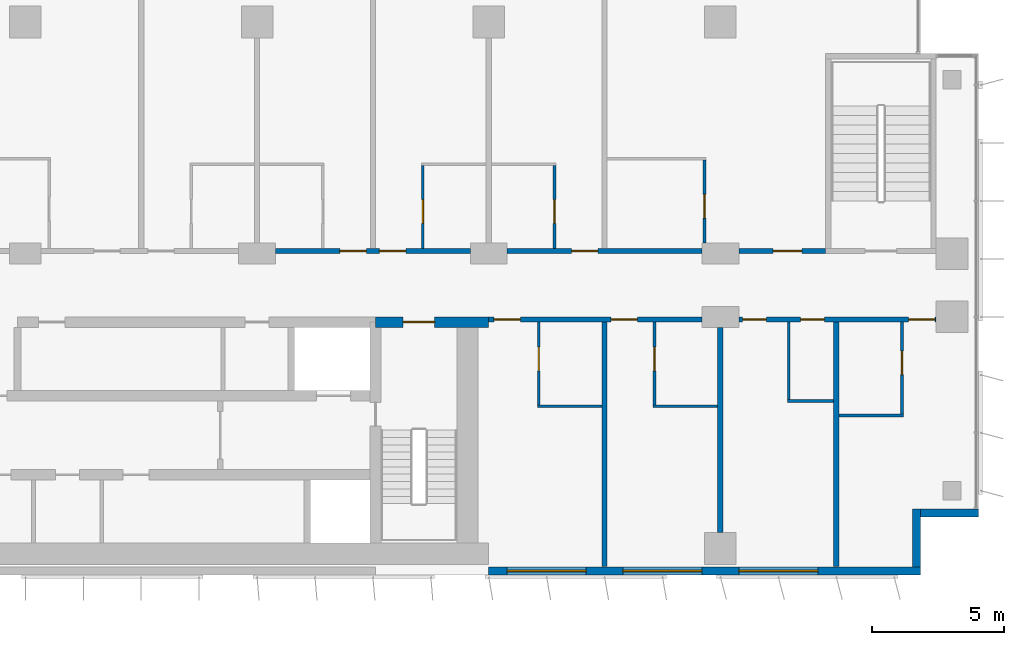
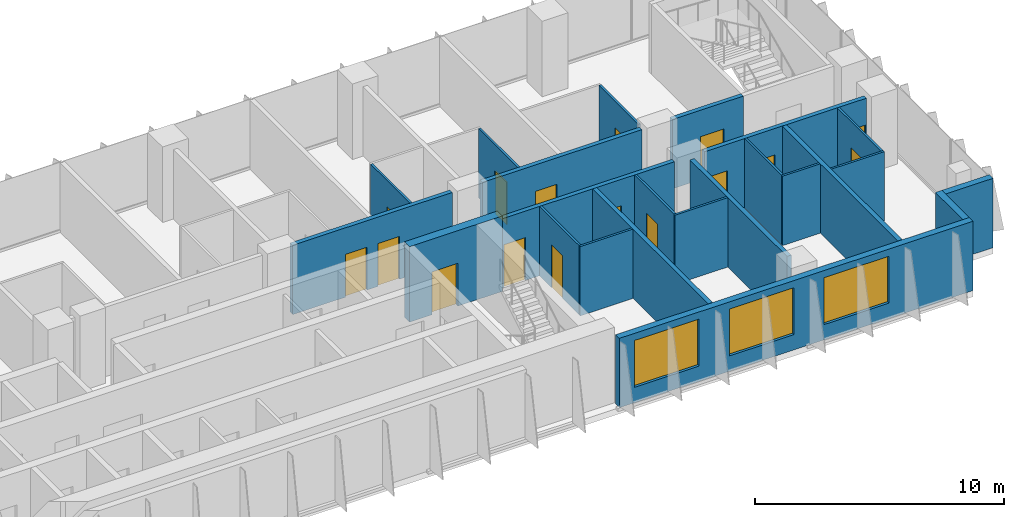
# One storey, part 14 of 23: 23 walls, 16 doors, 3 windows, 19 openings.
"""IFC4 building model written with IfcOpenShell, lengths in metres."""

import ifcopenshell
import ifcopenshell.guid

model = None  # the IFC model being written
_history = None  # IfcOwnerHistory: only IFC2X3 demands one
_inside = {}  # id of a spatial element -> (the spatial element, [elements in it])
_under = {}  # id of a project, library or spatial element -> (it, [spatial elements below it])
_declared = {}  # id of a project -> (the project, [libraries it declares])
_typed = {}  # id of a type object -> (the type object, [elements of that type])
_made_of = {}  # id of a material, layer set ... -> (it, [elements and type objects made of it])


def new_model(schema):
    """Start an empty IFC model of exactly this schema.

    Asked for "IFC4X3", IfcOpenShell would pick the latest addendum, in which some entities
    have other attributes; the version numbers below select the first issue.
    IFC2X3 requires an IfcOwnerHistory on every rooted entity: one is made here for all.
    """
    global model, _history
    if schema == "IFC4X3":
        model = ifcopenshell.file(schema_version=(4, 3, 0, 0))
    else:
        model = ifcopenshell.file(schema=schema)
    _inside.clear()
    _under.clear()
    _declared.clear()
    _typed.clear()
    _made_of.clear()
    _history = None
    if model.schema == "IFC2X3":
        org = make("IfcOrganization", Name="unknown")
        user = make(
            "IfcPersonAndOrganization",
            ThePerson=make("IfcPerson", FamilyName="unknown"),
            TheOrganization=org,
        )
        app = make(
            "IfcApplication",
            ApplicationDeveloper=org,
            Version="unknown",
            ApplicationFullName="unknown",
            ApplicationIdentifier="unknown",
        )
        _history = make(
            "IfcOwnerHistory",
            OwningUser=user,
            OwningApplication=app,
            ChangeAction="ADDED",
            CreationDate=0,
        )
    return model


def make(cls, **values):
    """One entity of the class cls with the attributes given. An attribute that is None is left unset."""
    return model.create_entity(
        cls, **{name: value for name, value in values.items() if value is not None}
    )


def rooted(cls, **values):
    """An entity with a GlobalId (a new one), such as an element, a storey or a relation."""
    return make(cls, GlobalId=ifcopenshell.guid.new(), OwnerHistory=_history, **values)


def si_unit(unit_type, name, prefix=None):
    """IfcSIUnit, for example si_unit("LENGTHUNIT", "METRE", prefix="MILLI")."""
    return make("IfcSIUnit", UnitType=unit_type, Prefix=prefix, Name=name)


def assignment(units):
    """IfcUnitAssignment: the units of a project."""
    return None if units is None else make("IfcUnitAssignment", Units=units)


def point(xyz):
    """IfcCartesianPoint."""
    return None if xyz is None else make("IfcCartesianPoint", Coordinates=xyz)


def direction(xyz):
    """IfcDirection."""
    return None if xyz is None else make("IfcDirection", DirectionRatios=xyz)


def frame(location, z_axis=None, x_axis=None):
    """IfcAxis2Placement3D, a coordinate frame: its origin and axes. An axis left out is left unset."""
    return make(
        "IfcAxis2Placement3D",
        Location=point(location),
        Axis=direction(z_axis),
        RefDirection=direction(x_axis),
    )


def frame_2d(location, x_axis=None):
    """IfcAxis2Placement2D, a coordinate frame in the plane: its origin and x axis."""
    return make(
        "IfcAxis2Placement2D", Location=point(location), RefDirection=direction(x_axis)
    )


def origin():
    """The frame at (0, 0, 0) with its axes left unset."""
    return frame((0.0, 0.0, 0.0))


def place(relative_to, where):
    """IfcLocalPlacement: puts the frame where relative to a parent placement (None: the world)."""
    return make(
        "IfcLocalPlacement", PlacementRelTo=relative_to, RelativePlacement=where
    )


def context(
    kind, dimensions, precision=None, world=None, true_north=None, identifier=None
):
    """IfcGeometricRepresentationContext, for example the 3D "Model" context."""
    return make(
        "IfcGeometricRepresentationContext",
        ContextIdentifier=identifier,
        ContextType=kind,
        CoordinateSpaceDimension=dimensions,
        Precision=precision,
        WorldCoordinateSystem=world,
        TrueNorth=true_north,
    )


def subcontext(parent, identifier, kind, view, scale=None):
    """IfcGeometricRepresentationSubContext, for example "Body" below "Model"."""
    return make(
        "IfcGeometricRepresentationSubContext",
        ContextIdentifier=identifier,
        ContextType=kind,
        ParentContext=parent,
        TargetScale=scale,
        TargetView=view,
    )


def project(units=None, contexts=None):
    """IfcProject with its units and contexts."""
    return rooted(
        "IfcProject",
        Name="project",
        RepresentationContexts=contexts,
        UnitsInContext=assignment(units),
    )


def spatial(cls, under=None, at=None, **own):
    """A site, building, storey or space (cls), placed at a placement, below another one or the project."""
    s = rooted(cls, ObjectPlacement=at, **own)
    if under is not None:
        _under.setdefault(under.id(), (under, []))[1].append(s)
    return s


def profile(cls, at=None, kind="AREA", **sizes):
    """A parametric profile (cls). Its sizes go by their IFC names, for example OverallWidth=200.0."""
    return make(cls, ProfileType=kind, Position=at, **sizes)


def rectangle(**sizes):
    """IfcRectangleProfileDef."""
    return profile("IfcRectangleProfileDef", **sizes)


def extrude(swept, where, along, depth):
    """IfcExtrudedAreaSolid: the profile swept, set in the frame where, extruded along a direction by depth."""
    return make(
        "IfcExtrudedAreaSolid",
        SweptArea=swept,
        Position=where,
        ExtrudedDirection=direction(along),
        Depth=depth,
    )


def shape(context_of_items, identifier, shape_type, items):
    """IfcShapeRepresentation: the items that make up one representation, for example the "Body"."""
    return make(
        "IfcShapeRepresentation",
        ContextOfItems=context_of_items,
        RepresentationIdentifier=identifier,
        RepresentationType=shape_type,
        Items=items,
    )


def material(Name=None, Category=None):
    """IfcMaterial."""
    return make("IfcMaterial", Name=Name, Category=Category)


def layer(
    of_material, thickness, ventilated=None, Name=None, Category=None, Priority=None
):
    """IfcMaterialLayer: one layer of a wall or slab, of a material (None: an air gap)."""
    return make(
        "IfcMaterialLayer",
        Material=of_material,
        LayerThickness=thickness,
        IsVentilated=ventilated,
        Name=Name,
        Category=Category,
        Priority=Priority,
    )


def layer_set(layers, Name=None):
    """IfcMaterialLayerSet."""
    return make("IfcMaterialLayerSet", MaterialLayers=layers, LayerSetName=Name)


def made_of(thing, what):
    """Note that an element or type object is made of a material, layer set ...; save() writes the relation."""
    if what is not None:
        _made_of.setdefault(what.id(), (what, []))[1].append(thing)
    return thing


def type_object(cls, material=None, **own):
    """A type object (cls), such as IfcWallType, which elements share."""
    return made_of(rooted(cls, **own), material)


def element(
    cls,
    number,
    at=None,
    inside=None,
    cuts=None,
    type_object=None,
    material=None,
    context=None,
    identifier="Body",
    shape_type=None,
    held_by="IfcProductDefinitionShape",
    body=None,
    shapes=None,
    **own,
):
    """One element of the class cls, such as IfcWall. Its Tag is "e" and its number.

    at: its placement. inside: the storey or other place that contains it. cuts: it is an
    opening in that element (IfcRelVoidsElement). A single representation is given by context,
    identifier, shape_type and body (its items); several are given by shapes. held_by: the class
    of the entity that holds the representations. save() writes the other relations.
    """
    e = rooted(cls, Tag="e%d" % number, ObjectPlacement=at, **own)
    if body is not None:
        shapes = [shape(context, identifier, shape_type, body)]
    if shapes is not None:
        e.Representation = make(held_by, Representations=shapes)
    if inside is not None:
        _inside.setdefault(inside.id(), (inside, []))[1].append(e)
    if cuts is not None:
        rooted(
            "IfcRelVoidsElement", RelatingBuildingElement=cuts, RelatedOpeningElement=e
        )
    if type_object is not None:
        _typed.setdefault(type_object.id(), (type_object, []))[1].append(e)
    return made_of(e, material)


def fill(opening, filler):
    """IfcRelFillsElement: the door or window that sits in an opening."""
    return rooted(
        "IfcRelFillsElement",
        RelatingOpeningElement=opening,
        RelatedBuildingElement=filler,
    )


def aggregate(whole, parts):
    """IfcRelAggregates: a whole, such as a stair, and the parts it consists of."""
    return rooted("IfcRelAggregates", RelatingObject=whole, RelatedObjects=parts)


def save(model, path):
    """Write the relations noted so far, then the file.

    IfcRelAggregates (storeys below a building ...), IfcRelContainedInSpatialStructure (elements
    in a storey), IfcRelDefinesByType, IfcRelAssociatesMaterial and IfcRelDeclares: one each for
    every whole, place, type object, material and project.
    """
    for whole, parts in _under.values():
        aggregate(whole, parts)
    for where, things in _inside.values():
        rooted(
            "IfcRelContainedInSpatialStructure",
            RelatedElements=things,
            RelatingStructure=where,
        )
    for kind, things in _typed.values():
        rooted("IfcRelDefinesByType", RelatedObjects=things, RelatingType=kind)
    for what, things in _made_of.values():
        rooted("IfcRelAssociatesMaterial", RelatedObjects=things, RelatingMaterial=what)
    for by, libraries in _declared.values():
        rooted("IfcRelDeclares", RelatingContext=by, RelatedDefinitions=libraries)
    model.write(path)


model = new_model("IFC4")

# Units and contexts
model_context = context("Model", 3, precision=1e-05, world=origin(), true_north=direction((0.0, 1.0)))
body_context = subcontext(model_context, "Body", "Model", "MODEL_VIEW")
ifc_project = project(units=[si_unit("LENGTHUNIT", "METRE"), si_unit("AREAUNIT", "SQUARE_METRE"), si_unit("VOLUMEUNIT", "CUBIC_METRE"), si_unit("PLANEANGLEUNIT", "RADIAN"), si_unit("MASSUNIT", "GRAM", prefix="KILO")], contexts=[model_context])

# Site, building, storey
site_placement = place(None, origin())
site = spatial("IfcSite", under=ifc_project, at=site_placement, CompositionType="ELEMENT")
building_placement = place(site_placement, origin())
building = spatial("IfcBuilding", under=site, at=building_placement, Name="Kemantara Hotel Tower", CompositionType="ELEMENT")
storey_placement = place(building_placement, frame((0.0, 0.0, 114.800048828125)))
storey = spatial("IfcBuildingStorey", under=building, at=storey_placement, Name="L27", CompositionType="ELEMENT", Elevation=114.800048828125)

# Wall, openings, windows
ifc_material_1 = material(Name="Bronze anodised aluminium cladding on insulated steel stud wall", Category="steel")
ifc_layer_1 = layer(ifc_material_1, 0.300048828125)
ifc_layer_set_1 = layer_set([ifc_layer_1], Name="Bronze anodised aluminium cladding on insulated steel stud wall")
wall_type_1 = type_object("IfcWallType", Name="BRONZE METAL-CLAD EXTERNAL WALL 300", PredefinedType="STANDARD", material=ifc_layer_set_1)
wall_1_placement = place(storey_placement, frame((45.0, 0.14990234375, 0.0), z_axis=(0.0, 0.0, 1.0), x_axis=(1.0, 0.0, 0.0)))
wall_1 = element("IfcWall", 1, at=wall_1_placement, inside=storey, type_object=wall_type_1, Name="EXTERNAL WALL L27 T2-R07-3", PredefinedType="STANDARD", context=body_context, shape_type="SweptSolid", body=[
    extrude(rectangle(XDim=16.39990234375, YDim=0.300048828125, at=frame_2d((8.199951171875, 0.0))), origin(), (0.0, 0.0, 1.0), 3.39990234375),
])
opening_1_placement = place(wall_1_placement, frame((0.699951171875, 0.0, 0.75)))
opening_1 = element("IfcOpeningElement", 2, at=opening_1_placement, cuts=wall_1, Name="Opening W1", PredefinedType="OPENING", context=body_context, shape_type="SweptSolid", body=[
    extrude(rectangle(XDim=3.0, YDim=2.300048828125, at=frame_2d((1.5, 1.14990234375))), frame((0.0, 0.159912109375, 0.0), z_axis=(0.0, -1.0, 0.0), x_axis=(1.0, 0.0, 0.0)), (0.0, 0.0, 1.0), 0.320068359375),
])
opening_2_placement = place(wall_1_placement, frame((5.10009765625, 0.0, 0.75)))
opening_2 = element("IfcOpeningElement", 3, at=opening_2_placement, cuts=wall_1, Name="Opening W1", PredefinedType="OPENING", context=body_context, shape_type="SweptSolid", body=[
    extrude(rectangle(XDim=3.0, YDim=2.300048828125, at=frame_2d((1.5, 1.14990234375))), frame((0.0, 0.159912109375, 0.0), z_axis=(0.0, -1.0, 0.0), x_axis=(1.0, 0.0, 0.0)), (0.0, 0.0, 1.0), 0.320068359375),
])
opening_3_placement = place(wall_1_placement, frame((9.5, 0.0, 0.75)))
opening_3 = element("IfcOpeningElement", 4, at=opening_3_placement, cuts=wall_1, Name="Opening W1", PredefinedType="OPENING", context=body_context, shape_type="SweptSolid", body=[
    extrude(rectangle(XDim=3.0, YDim=2.300048828125, at=frame_2d((1.5, 1.14990234375))), frame((0.0, 0.159912109375, 0.0), z_axis=(0.0, -1.0, 0.0), x_axis=(1.0, 0.0, 0.0)), (0.0, 0.0, 1.0), 0.320068359375),
])
ifc_material_2 = material(Name="Low-E tinted double insulated glass in bronze anodised aluminium frame", Category="aluminium")
window_type = type_object("IfcWindowType", Name="CHICAGO WINDOW, TRIPLE PANEL 3000x2300", PartitioningType="TRIPLE_PANEL_VERTICAL", PredefinedType="WINDOW", material=ifc_material_2)
window_1_placement = place(opening_1_placement, origin())
window_1 = element("IfcWindow", 5, at=window_1_placement, inside=storey, type_object=window_type, Name="CHICAGO WINDOW L27 T2-R07-450", OverallHeight=2.300048828125, OverallWidth=3.0, PartitioningType="SINGLE_PANEL", PredefinedType="WINDOW", context=body_context, shape_type="SweptSolid", body=[
    extrude(rectangle(XDim=3.0, YDim=2.300048828125, at=frame_2d((1.5, 1.14990234375))), frame((0.0, 0.030029296875, 0.0), z_axis=(0.0, -1.0, 0.0), x_axis=(1.0, 0.0, 0.0)), (0.0, 0.0, 1.0), 0.06005859375),
])
fill(opening_1, window_1)
window_2_placement = place(opening_2_placement, origin())
window_2 = element("IfcWindow", 6, at=window_2_placement, inside=storey, type_object=window_type, Name="CHICAGO WINDOW L27 T2-R07-494", OverallHeight=2.300048828125, OverallWidth=3.0, PartitioningType="SINGLE_PANEL", PredefinedType="WINDOW", context=body_context, shape_type="SweptSolid", body=[
    extrude(rectangle(XDim=3.0, YDim=2.300048828125, at=frame_2d((1.5, 1.14990234375))), frame((0.0, 0.030029296875, 0.0), z_axis=(0.0, -1.0, 0.0), x_axis=(1.0, 0.0, 0.0)), (0.0, 0.0, 1.0), 0.06005859375),
])
fill(opening_2, window_2)
window_3_placement = place(opening_3_placement, origin())
window_3 = element("IfcWindow", 7, at=window_3_placement, inside=storey, type_object=window_type, Name="CHICAGO WINDOW L27 T2-R07-538", OverallHeight=2.300048828125, OverallWidth=3.0, PartitioningType="SINGLE_PANEL", PredefinedType="WINDOW", context=body_context, shape_type="SweptSolid", body=[
    extrude(rectangle(XDim=3.0, YDim=2.300048828125, at=frame_2d((1.5, 1.14990234375))), frame((0.0, 0.030029296875, 0.0), z_axis=(0.0, -1.0, 0.0), x_axis=(1.0, 0.0, 0.0)), (0.0, 0.0, 1.0), 0.06005859375),
])
fill(opening_3, window_3)

# Walls
wall_2_placement = place(storey_placement, frame((61.25, 0.300048828125, 0.0), z_axis=(0.0, 0.0, 1.0), x_axis=(0.0, 1.0, 0.0)))
element("IfcWall", 8, at=wall_2_placement, inside=storey, type_object=wall_type_1, Name="EXTERNAL WALL L27 T2-R08", PredefinedType="STANDARD", context=body_context, shape_type="SweptSolid", body=[
    extrude(rectangle(XDim=2.199951171875, YDim=0.300048828125, at=frame_2d((1.10009765625, 0.0))), origin(), (0.0, 0.0, 1.0), 3.39990234375),
])
wall_3_placement = place(storey_placement, frame((61.39990234375, 2.35009765625, 0.0), z_axis=(0.0, 0.0, 1.0), x_axis=(1.0, 0.0, 0.0)))
element("IfcWall", 9, at=wall_3_placement, inside=storey, type_object=wall_type_1, Name="EXTERNAL WALL L27 T2-R09", PredefinedType="STANDARD", context=body_context, shape_type="SweptSolid", body=[
    extrude(rectangle(XDim=2.2001953125, YDim=0.300048828125, at=frame_2d((1.10009765625, 0.0))), origin(), (0.0, 0.0, 1.0), 3.39990234375),
])

# Wall, opening, door
ifc_material_3 = material(Name="Concrete fc 70 MPa", Category="concrete")
ifc_layer_2 = layer(ifc_material_3, 0.39990234375)
ifc_layer_set_2 = layer_set([ifc_layer_2], Name="Concrete fc 70 MPa")
wall_type_2 = type_object("IfcWallType", Name="CORE WALL 400 FC70", PredefinedType="SHEAR", material=ifc_layer_set_2)
wall_4_placement = place(storey_placement, frame((40.699951171875, 9.60009765625, 0.0), z_axis=(0.0, 0.0, 1.0), x_axis=(1.0, 0.0, 0.0)))
wall_4 = element("IfcWall", 10, at=wall_4_placement, inside=storey, type_object=wall_type_2, Name="CORE WALL CW-N2", PredefinedType="SHEAR", context=body_context, shape_type="SweptSolid", body=[
    extrude(rectangle(XDim=4.300048828125, YDim=0.39990234375, at=frame_2d((2.14990234375, 0.0))), origin(), (0.0, 0.0, 1.0), 3.699951171875),
])
opening_4_placement = place(wall_4_placement, frame((1.050048828125, 0.0, 0.0)))
opening_4 = element("IfcOpeningElement", 11, at=opening_4_placement, cuts=wall_4, Name="Opening C19-ST2-C", PredefinedType="OPENING", context=body_context, shape_type="SweptSolid", body=[
    extrude(rectangle(XDim=1.199951171875, YDim=2.10009765625, at=frame_2d((0.60009765625, 1.050048828125))), frame((0.0, 0.2099609375, 0.0), z_axis=(0.0, -1.0, 0.0), x_axis=(1.0, 0.0, 0.0)), (0.0, 0.0, 1.0), 0.419921875),
])
ifc_material_4 = material(Name="Steel fire door", Category="steel")
door_type_1 = type_object("IfcDoorType", Name="Fire door FD90 1200 x 2100", OperationType="NOTDEFINED", PredefinedType="DOOR", material=ifc_material_4)
door_1_placement = place(opening_4_placement, frame((1.199951171875, 0.0, 0.0), z_axis=(0.0, 0.0, 1.0), x_axis=(-1.0, 0.0, 0.0)))
door_1 = element("IfcDoor", 12, at=door_1_placement, inside=storey, type_object=door_type_1, Name="Stair ST2 door to corridor", OperationType="SINGLE_SWING_RIGHT", OverallHeight=2.10009765625, OverallWidth=1.199951171875, PredefinedType="DOOR", context=body_context, shape_type="SweptSolid", body=[
    extrude(rectangle(XDim=1.199951171875, YDim=2.10009765625, at=frame_2d((0.60009765625, 1.050048828125))), frame((0.0, 0.02490234375, 0.0), z_axis=(0.0, -1.0, 0.0), x_axis=(1.0, 0.0, 0.0)), (0.0, 0.0, 1.0), 0.050048828125),
])
fill(opening_4, door_1)

# Wall, openings, doors
ifc_material_5 = material(Name="Gypsum board partition, steel studs and mineral wool, 200 mm", Category="steel")
ifc_layer_3 = layer(ifc_material_5, 0.199951171875)
ifc_layer_set_3 = layer_set([ifc_layer_3], Name="Gypsum board partition, steel studs and mineral wool, 200 mm")
wall_type_3 = type_object("IfcWallType", Name="CORRIDOR WALL 200", PredefinedType="PARTITIONING", material=ifc_layer_set_3)
wall_5_placement = place(storey_placement, frame((53.099853515625, 9.699951171875, 0.0), z_axis=(0.0, 0.0, 1.0), x_axis=(-1.0, 0.0, 0.0)))
wall_5 = element("IfcWall", 13, at=wall_5_placement, inside=storey, type_object=wall_type_3, Name="CORRIDOR WALL 200 001", PredefinedType="PARTITIONING", context=body_context, shape_type="SweptSolid", body=[
    extrude(rectangle(XDim=8.099853515625, YDim=0.199951171875, at=frame_2d((4.0498046875, 0.0))), origin(), (0.0, 0.0, 1.0), 3.39990234375),
])
opening_5_placement = place(wall_5_placement, frame((6.89990234375, 0.0, 0.0)))
opening_5 = element("IfcOpeningElement", 14, at=opening_5_placement, cuts=wall_5, Name="Opening F12-001", PredefinedType="OPENING", context=body_context, shape_type="SweptSolid", body=[
    extrude(rectangle(XDim=1.0, YDim=2.10009765625, at=frame_2d((0.5, 1.050048828125))), frame((0.0, 0.10986328125, 0.0), z_axis=(0.0, -1.0, 0.0), x_axis=(1.0, 0.0, 0.0)), (0.0, 0.0, 1.0), 0.219970703125),
])
opening_6_placement = place(wall_5_placement, frame((2.449951171875, 0.0, 0.0)))
opening_6 = element("IfcOpeningElement", 15, at=opening_6_placement, cuts=wall_5, Name="Opening F12-003", PredefinedType="OPENING", context=body_context, shape_type="SweptSolid", body=[
    extrude(rectangle(XDim=1.0, YDim=2.10009765625, at=frame_2d((0.5, 1.050048828125))), frame((0.0, 0.10986328125, 0.0), z_axis=(0.0, -1.0, 0.0), x_axis=(1.0, 0.0, 0.0)), (0.0, 0.0, 1.0), 0.219970703125),
])
ifc_material_6 = material(Name="Hardwood veneer door leaf with steel frame", Category="steel")
door_type_2 = type_object("IfcDoorType", Name="GUEST ROOM DOOR 1000 X 2100 FD30S", OperationType="NOTDEFINED", PredefinedType="DOOR", material=ifc_material_6)
door_2_placement = place(opening_5_placement, origin())
door_2 = element("IfcDoor", 16, at=door_2_placement, inside=storey, type_object=door_type_2, Name="GUEST ROOM DOOR F12-001", OperationType="SINGLE_SWING_RIGHT", OverallHeight=2.10009765625, OverallWidth=1.0, PredefinedType="DOOR", context=body_context, shape_type="SweptSolid", body=[
    extrude(rectangle(XDim=1.0, YDim=2.10009765625, at=frame_2d((0.5, 1.050048828125))), frame((0.0, 0.02490234375, 0.0), z_axis=(0.0, -1.0, 0.0), x_axis=(1.0, 0.0, 0.0)), (0.0, 0.0, 1.0), 0.050048828125),
])
fill(opening_5, door_2)
door_3_placement = place(opening_6_placement, origin())
door_3 = element("IfcDoor", 17, at=door_3_placement, inside=storey, type_object=door_type_2, Name="GUEST ROOM DOOR F12-003", OperationType="SINGLE_SWING_RIGHT", OverallHeight=2.10009765625, OverallWidth=1.0, PredefinedType="DOOR", context=body_context, shape_type="SweptSolid", body=[
    extrude(rectangle(XDim=1.0, YDim=2.10009765625, at=frame_2d((0.5, 1.050048828125))), frame((0.0, 0.02490234375, 0.0), z_axis=(0.0, -1.0, 0.0), x_axis=(1.0, 0.0, 0.0)), (0.0, 0.0, 1.0), 0.050048828125),
])
fill(opening_6, door_3)

wall_6_placement = place(storey_placement, frame((62.0, 9.699951171875, 0.0), z_axis=(0.0, 0.0, 1.0), x_axis=(-1.0, 0.0, 0.0)))
wall_6 = element("IfcWall", 18, at=wall_6_placement, inside=storey, type_object=wall_type_3, Name="CORRIDOR WALL 200 002", PredefinedType="PARTITIONING", context=body_context, shape_type="SweptSolid", body=[
    extrude(rectangle(XDim=7.5, YDim=0.199951171875, at=frame_2d((3.75, 0.0))), origin(), (0.0, 0.0, 1.0), 3.39990234375),
])
opening_7_placement = place(wall_6_placement, frame((6.449951171875, 0.0, 0.0)))
opening_7 = element("IfcOpeningElement", 19, at=opening_7_placement, cuts=wall_6, Name="Opening F12-005", PredefinedType="OPENING", context=body_context, shape_type="SweptSolid", body=[
    extrude(rectangle(XDim=0.89990234375, YDim=2.10009765625, at=frame_2d((0.449951171875, 1.050048828125))), frame((0.0, 0.10986328125, 0.0), z_axis=(0.0, -1.0, 0.0), x_axis=(1.0, 0.0, 0.0)), (0.0, 0.0, 1.0), 0.219970703125),
])
opening_8_placement = place(wall_6_placement, frame((4.25, 0.0, 0.0)))
opening_8 = element("IfcOpeningElement", 20, at=opening_8_placement, cuts=wall_6, Name="Opening F12-006", PredefinedType="OPENING", context=body_context, shape_type="SweptSolid", body=[
    extrude(rectangle(XDim=0.89990234375, YDim=2.10009765625, at=frame_2d((0.449951171875, 1.050048828125))), frame((0.0, 0.10986328125, 0.0), z_axis=(0.0, -1.0, 0.0), x_axis=(1.0, 0.0, 0.0)), (0.0, 0.0, 1.0), 0.219970703125),
])
opening_9_placement = place(wall_6_placement, frame((0.0498046875, 0.0, 0.0)))
opening_9 = element("IfcOpeningElement", 21, at=opening_9_placement, cuts=wall_6, Name="Opening F12-007", PredefinedType="OPENING", context=body_context, shape_type="SweptSolid", body=[
    extrude(rectangle(XDim=1.0, YDim=2.10009765625, at=frame_2d((0.5, 1.050048828125))), frame((0.0, 0.10986328125, 0.0), z_axis=(0.0, -1.0, 0.0), x_axis=(1.0, 0.0, 0.0)), (0.0, 0.0, 1.0), 0.219970703125),
])
door_4_placement = place(opening_9_placement, origin())
door_4 = element("IfcDoor", 22, at=door_4_placement, inside=storey, type_object=door_type_2, Name="GUEST ROOM DOOR F12-007", OperationType="SINGLE_SWING_LEFT", OverallHeight=2.10009765625, OverallWidth=1.0, PredefinedType="DOOR", context=body_context, shape_type="SweptSolid", body=[
    extrude(rectangle(XDim=1.0, YDim=2.10009765625, at=frame_2d((0.5, 1.050048828125))), frame((0.0, 0.02490234375, 0.0), z_axis=(0.0, -1.0, 0.0), x_axis=(1.0, 0.0, 0.0)), (0.0, 0.0, 1.0), 0.050048828125),
])
fill(opening_9, door_4)
ifc_material_7 = material(Name="Steel door leaf with steel frame", Category="steel")
door_type_3 = type_object("IfcDoorType", Name="SERVICE ROOM DOOR 900 X 2100 FD60", OperationType="NOTDEFINED", PredefinedType="DOOR", material=ifc_material_7)
door_5_placement = place(opening_7_placement, origin())
door_5 = element("IfcDoor", 23, at=door_5_placement, inside=storey, type_object=door_type_3, Name="SERVICE ROOM DOOR F12-005", OperationType="SINGLE_SWING_RIGHT", OverallHeight=2.10009765625, OverallWidth=0.89990234375, PredefinedType="DOOR", context=body_context, shape_type="SweptSolid", body=[
    extrude(rectangle(XDim=0.89990234375, YDim=2.10009765625, at=frame_2d((0.449951171875, 1.050048828125))), frame((0.0, 0.02490234375, 0.0), z_axis=(0.0, -1.0, 0.0), x_axis=(1.0, 0.0, 0.0)), (0.0, 0.0, 1.0), 0.050048828125),
])
fill(opening_7, door_5)
door_6_placement = place(opening_8_placement, origin())
door_6 = element("IfcDoor", 24, at=door_6_placement, inside=storey, type_object=door_type_3, Name="SERVICE ROOM DOOR F12-006", OperationType="SINGLE_SWING_LEFT", OverallHeight=2.10009765625, OverallWidth=0.89990234375, PredefinedType="DOOR", context=body_context, shape_type="SweptSolid", body=[
    extrude(rectangle(XDim=0.89990234375, YDim=2.10009765625, at=frame_2d((0.449951171875, 1.050048828125))), frame((0.0, 0.02490234375, 0.0), z_axis=(0.0, -1.0, 0.0), x_axis=(1.0, 0.0, 0.0)), (0.0, 0.0, 1.0), 0.050048828125),
])
fill(opening_8, door_6)

wall_7_placement = place(storey_placement, frame((36.900146484375, 12.300048828125, 0.0), z_axis=(0.0, 0.0, 1.0), x_axis=(1.0, 0.0, 0.0)))
wall_7 = element("IfcWall", 25, at=wall_7_placement, inside=storey, type_object=wall_type_3, Name="CORRIDOR WALL 200 009", PredefinedType="PARTITIONING", context=body_context, shape_type="SweptSolid", body=[
    extrude(rectangle(XDim=7.399658203125, YDim=0.199951171875, at=frame_2d((3.69970703125, 0.0))), origin(), (0.0, 0.0, 1.0), 3.39990234375),
])
opening_10_placement = place(wall_7_placement, frame((2.449951171875, 0.0, 0.0)))
opening_10 = element("IfcOpeningElement", 26, at=opening_10_placement, cuts=wall_7, Name="Opening F12-013", PredefinedType="OPENING", context=body_context, shape_type="SweptSolid", body=[
    extrude(rectangle(XDim=1.0, YDim=2.10009765625, at=frame_2d((0.5, 1.050048828125))), frame((0.0, 0.10986328125, 0.0), z_axis=(0.0, -1.0, 0.0), x_axis=(1.0, 0.0, 0.0)), (0.0, 0.0, 1.0), 0.219970703125),
])
opening_11_placement = place(wall_7_placement, frame((3.949951171875, 0.0, 0.0)))
opening_11 = element("IfcOpeningElement", 27, at=opening_11_placement, cuts=wall_7, Name="Opening F12-015", PredefinedType="OPENING", context=body_context, shape_type="SweptSolid", body=[
    extrude(rectangle(XDim=1.0, YDim=2.10009765625, at=frame_2d((0.5, 1.050048828125))), frame((0.0, 0.10986328125, 0.0), z_axis=(0.0, -1.0, 0.0), x_axis=(1.0, 0.0, 0.0)), (0.0, 0.0, 1.0), 0.219970703125),
])
door_7_placement = place(opening_10_placement, origin())
door_7 = element("IfcDoor", 28, at=door_7_placement, inside=storey, type_object=door_type_2, Name="GUEST ROOM DOOR F12-013", OperationType="SINGLE_SWING_RIGHT", OverallHeight=2.10009765625, OverallWidth=1.0, PredefinedType="DOOR", context=body_context, shape_type="SweptSolid", body=[
    extrude(rectangle(XDim=1.0, YDim=2.10009765625, at=frame_2d((0.5, 1.050048828125))), frame((0.0, 0.02490234375, 0.0), z_axis=(0.0, -1.0, 0.0), x_axis=(1.0, 0.0, 0.0)), (0.0, 0.0, 1.0), 0.050048828125),
])
fill(opening_10, door_7)
door_8_placement = place(opening_11_placement, origin())
door_8 = element("IfcDoor", 29, at=door_8_placement, inside=storey, type_object=door_type_2, Name="GUEST ROOM DOOR F12-015", OperationType="SINGLE_SWING_LEFT", OverallHeight=2.10009765625, OverallWidth=1.0, PredefinedType="DOOR", context=body_context, shape_type="SweptSolid", body=[
    extrude(rectangle(XDim=1.0, YDim=2.10009765625, at=frame_2d((0.5, 1.050048828125))), frame((0.0, 0.02490234375, 0.0), z_axis=(0.0, -1.0, 0.0), x_axis=(1.0, 0.0, 0.0)), (0.0, 0.0, 1.0), 0.050048828125),
])
fill(opening_11, door_8)

# Wall, opening, door
wall_8_placement = place(storey_placement, frame((45.7001953125, 12.300048828125, 0.0), z_axis=(0.0, 0.0, 1.0), x_axis=(1.0, 0.0, 0.0)))
wall_8 = element("IfcWall", 30, at=wall_8_placement, inside=storey, type_object=wall_type_3, Name="CORRIDOR WALL 200 010", PredefinedType="PARTITIONING", context=body_context, shape_type="SweptSolid", body=[
    extrude(rectangle(XDim=7.399658203125, YDim=0.199951171875, at=frame_2d((3.69970703125, 0.0))), origin(), (0.0, 0.0, 1.0), 3.39990234375),
])
opening_12_placement = place(wall_8_placement, frame((2.449951171875, 0.0, 0.0)))
opening_12 = element("IfcOpeningElement", 31, at=opening_12_placement, cuts=wall_8, Name="Opening F12-017", PredefinedType="OPENING", context=body_context, shape_type="SweptSolid", body=[
    extrude(rectangle(XDim=1.0, YDim=2.10009765625, at=frame_2d((0.5, 1.050048828125))), frame((0.0, 0.10986328125, 0.0), z_axis=(0.0, -1.0, 0.0), x_axis=(1.0, 0.0, 0.0)), (0.0, 0.0, 1.0), 0.219970703125),
])
door_9_placement = place(opening_12_placement, origin())
door_9 = element("IfcDoor", 32, at=door_9_placement, inside=storey, type_object=door_type_2, Name="GUEST ROOM DOOR F12-017", OperationType="SINGLE_SWING_RIGHT", OverallHeight=2.10009765625, OverallWidth=1.0, PredefinedType="DOOR", context=body_context, shape_type="SweptSolid", body=[
    extrude(rectangle(XDim=1.0, YDim=2.10009765625, at=frame_2d((0.5, 1.050048828125))), frame((0.0, 0.02490234375, 0.0), z_axis=(0.0, -1.0, 0.0), x_axis=(1.0, 0.0, 0.0)), (0.0, 0.0, 1.0), 0.050048828125),
])
fill(opening_12, door_9)

wall_9_placement = place(storey_placement, frame((54.5, 12.300048828125, 0.0), z_axis=(0.0, 0.0, 1.0), x_axis=(1.0, 0.0, 0.0)))
wall_9 = element("IfcWall", 33, at=wall_9_placement, inside=storey, type_object=wall_type_3, Name="CORRIDOR WALL 200 011", PredefinedType="PARTITIONING", context=body_context, shape_type="SweptSolid", body=[
    extrude(rectangle(XDim=3.300048828125, YDim=0.199951171875, at=frame_2d((1.64990234375, 0.0))), origin(), (0.0, 0.0, 1.0), 3.39990234375),
])
opening_13_placement = place(wall_9_placement, frame((1.2998046875, 0.0, 0.0)))
opening_13 = element("IfcOpeningElement", 34, at=opening_13_placement, cuts=wall_9, Name="Opening F12-019", PredefinedType="OPENING", context=body_context, shape_type="SweptSolid", body=[
    extrude(rectangle(XDim=1.10009765625, YDim=2.10009765625, at=frame_2d((0.550048828125, 1.050048828125))), frame((0.0, 0.10986328125, 0.0), z_axis=(0.0, -1.0, 0.0), x_axis=(1.0, 0.0, 0.0)), (0.0, 0.0, 1.0), 0.219970703125),
])
door_type_4 = type_object("IfcDoorType", Name="SUITE ENTRANCE DOOR 1100 X 2100 FD30S", OperationType="NOTDEFINED", PredefinedType="DOOR", material=ifc_material_6)
door_10_placement = place(opening_13_placement, origin())
door_10 = element("IfcDoor", 35, at=door_10_placement, inside=storey, type_object=door_type_4, Name="SUITE ENTRANCE DOOR F12-019", OperationType="SINGLE_SWING_RIGHT", OverallHeight=2.10009765625, OverallWidth=1.10009765625, PredefinedType="DOOR", context=body_context, shape_type="SweptSolid", body=[
    extrude(rectangle(XDim=1.10009765625, YDim=2.10009765625, at=frame_2d((0.550048828125, 1.050048828125))), frame((0.0, 0.02490234375, 0.0), z_axis=(0.0, -1.0, 0.0), x_axis=(1.0, 0.0, 0.0)), (0.0, 0.0, 1.0), 0.050048828125),
])
fill(opening_13, door_10)

# Walls
ifc_layer_4 = layer(ifc_material_5, 0.199951171875)
ifc_layer_set_4 = layer_set([ifc_layer_4], Name="Gypsum board partition, steel studs and mineral wool, 200 mm")
wall_type_4 = type_object("IfcWallType", Name="GUEST ROOM PARTY WALL 200", PredefinedType="PARTITIONING", material=ifc_layer_set_4)
wall_10_placement = place(storey_placement, frame((49.39990234375, 0.31005859375, 0.0), z_axis=(0.0, 0.0, 1.0), x_axis=(0.0, 1.0, 0.0)))
element("IfcWall", 36, at=wall_10_placement, inside=storey, type_object=wall_type_4, Name="GUEST ROOM PARTY WALL 200 003", PredefinedType="PARTITIONING", context=body_context, shape_type="SweptSolid", body=[
    extrude(rectangle(XDim=9.2900390625, YDim=0.199951171875, at=frame_2d((4.64501953125, 0.0))), origin(), (0.0, 0.0, 1.0), 3.39990234375),
])
wall_11_placement = place(storey_placement, frame((53.800048828125, 1.60009765625, 0.0), z_axis=(0.0, 0.0, 1.0), x_axis=(0.0, 1.0, 0.0)))
element("IfcWall", 37, at=wall_11_placement, inside=storey, type_object=wall_type_4, Name="GUEST ROOM PARTY WALL 200 005", PredefinedType="PARTITIONING", context=body_context, shape_type="SweptSolid", body=[
    extrude(rectangle(XDim=7.7998046875, YDim=0.199951171875, at=frame_2d((3.89990234375, 0.0))), origin(), (0.0, 0.0, 1.0), 3.39990234375),
])
wall_12_placement = place(storey_placement, frame((58.199951171875, 0.31005859375, 0.0), z_axis=(0.0, 0.0, 1.0), x_axis=(0.0, 1.0, 0.0)))
element("IfcWall", 38, at=wall_12_placement, inside=storey, type_object=wall_type_4, Name="GUEST ROOM PARTY WALL 200 006", PredefinedType="PARTITIONING", context=body_context, shape_type="SweptSolid", body=[
    extrude(rectangle(XDim=9.2900390625, YDim=0.199951171875, at=frame_2d((4.64501953125, 0.0))), origin(), (0.0, 0.0, 1.0), 3.39990234375),
])
ifc_material_8 = material(Name="Gypsum board partition on steel studs, 100 mm", Category="steel")
ifc_layer_5 = layer(ifc_material_8, 0.10009765625)
ifc_layer_set_5 = layer_set([ifc_layer_5], Name="Gypsum board partition on steel studs, 100 mm")
wall_type_5 = type_object("IfcWallType", Name="ROOM PARTITION 100", PredefinedType="PARTITIONING", material=ifc_layer_set_5)
for number, where, z_axis, x_axis, name in (
    (39, (46.85009765625, 6.39990234375, 0.0), (0.0, 0.0, 1.0), (1.0, 0.0, 0.0), "ROOM PARTITION 100 057"),
    (40, (51.25, 6.39990234375, 0.0), (0.0, 0.0, 1.0), (1.0, 0.0, 0.0), "ROOM PARTITION 100 058"),
):
    element("IfcWall", number, at=place(storey_placement, frame(where, z_axis=z_axis, x_axis=x_axis)), inside=storey, type_object=wall_type_5, Name=name, PredefinedType="PARTITIONING", context=body_context, shape_type="SweptSolid", body=[
        extrude(rectangle(XDim=2.449951171875, YDim=0.10009765625, at=frame_2d((1.22509765625, 0.0))), origin(), (0.0, 0.0, 1.0), 3.39990234375),
    ])

# Wall, opening, door
wall_13_placement = place(storey_placement, frame((46.89990234375, 9.60009765625, 0.0), z_axis=(0.0, 0.0, 1.0), x_axis=(0.0, -1.0, 0.0)))
wall_13 = element("IfcWall", 41, at=wall_13_placement, inside=storey, type_object=wall_type_5, Name="ROOM PARTITION 100 059", PredefinedType="PARTITIONING", context=body_context, shape_type="SweptSolid", body=[
    extrude(rectangle(XDim=3.150146484375, YDim=0.10009765625, at=frame_2d((1.5751953125, 0.0))), origin(), (0.0, 0.0, 1.0), 3.39990234375),
])
opening_14_placement = place(wall_13_placement, frame((0.949951171875, 0.0, 0.0)))
opening_14 = element("IfcOpeningElement", 42, at=opening_14_placement, cuts=wall_13, Name="Opening F12-002", PredefinedType="OPENING", context=body_context, shape_type="SweptSolid", body=[
    extrude(rectangle(XDim=0.89990234375, YDim=2.10009765625, at=frame_2d((0.449951171875, 1.050048828125))), frame((0.0, 0.06005859375, 0.0), z_axis=(0.0, -1.0, 0.0), x_axis=(1.0, 0.0, 0.0)), (0.0, 0.0, 1.0), 0.1201171875),
])
door_type_5 = type_object("IfcDoorType", Name="BATHROOM DOOR 900 X 2100", OperationType="NOTDEFINED", PredefinedType="DOOR", material=ifc_material_6)
door_11_placement = place(opening_14_placement, origin())
door_11 = element("IfcDoor", 43, at=door_11_placement, inside=storey, type_object=door_type_5, Name="BATHROOM DOOR F12-002", OperationType="SINGLE_SWING_LEFT", OverallHeight=2.10009765625, OverallWidth=0.89990234375, PredefinedType="DOOR", context=body_context, shape_type="SweptSolid", body=[
    extrude(rectangle(XDim=0.89990234375, YDim=2.10009765625, at=frame_2d((0.449951171875, 1.050048828125))), frame((0.0, 0.02490234375, 0.0), z_axis=(0.0, -1.0, 0.0), x_axis=(1.0, 0.0, 0.0)), (0.0, 0.0, 1.0), 0.050048828125),
])
fill(opening_14, door_11)

wall_14_placement = place(storey_placement, frame((51.300048828125, 9.60009765625, 0.0), z_axis=(0.0, 0.0, 1.0), x_axis=(0.0, -1.0, 0.0)))
wall_14 = element("IfcWall", 44, at=wall_14_placement, inside=storey, type_object=wall_type_5, Name="ROOM PARTITION 100 060", PredefinedType="PARTITIONING", context=body_context, shape_type="SweptSolid", body=[
    extrude(rectangle(XDim=3.150146484375, YDim=0.10009765625, at=frame_2d((1.5751953125, 0.0))), origin(), (0.0, 0.0, 1.0), 3.39990234375),
])
opening_15_placement = place(wall_14_placement, frame((0.949951171875, 0.0, 0.0)))
opening_15 = element("IfcOpeningElement", 45, at=opening_15_placement, cuts=wall_14, Name="Opening F12-004", PredefinedType="OPENING", context=body_context, shape_type="SweptSolid", body=[
    extrude(rectangle(XDim=0.89990234375, YDim=2.10009765625, at=frame_2d((0.449951171875, 1.050048828125))), frame((0.0, 0.06005859375, 0.0), z_axis=(0.0, -1.0, 0.0), x_axis=(1.0, 0.0, 0.0)), (0.0, 0.0, 1.0), 0.1201171875),
])
door_12_placement = place(opening_15_placement, origin())
door_12 = element("IfcDoor", 46, at=door_12_placement, inside=storey, type_object=door_type_5, Name="BATHROOM DOOR F12-004", OperationType="SINGLE_SWING_LEFT", OverallHeight=2.10009765625, OverallWidth=0.89990234375, PredefinedType="DOOR", context=body_context, shape_type="SweptSolid", body=[
    extrude(rectangle(XDim=0.89990234375, YDim=2.10009765625, at=frame_2d((0.449951171875, 1.050048828125))), frame((0.0, 0.02490234375, 0.0), z_axis=(0.0, -1.0, 0.0), x_axis=(1.0, 0.0, 0.0)), (0.0, 0.0, 1.0), 0.050048828125),
])
fill(opening_15, door_12)

# Walls
wall_15_placement = place(storey_placement, frame((56.35009765625, 6.60009765625, 0.0), z_axis=(0.0, 0.0, 1.0), x_axis=(1.0, 0.0, 0.0)))
element("IfcWall", 47, at=wall_15_placement, inside=storey, type_object=wall_type_5, Name="ROOM PARTITION 100 061", PredefinedType="PARTITIONING", context=body_context, shape_type="SweptSolid", body=[
    extrude(rectangle(XDim=1.75, YDim=0.10009765625, at=frame_2d((0.875, 0.0))), origin(), (0.0, 0.0, 1.0), 3.39990234375),
])
wall_16_placement = place(storey_placement, frame((56.39990234375, 6.64990234375, 0.0), z_axis=(0.0, 0.0, 1.0), x_axis=(0.0, 1.0, 0.0)))
element("IfcWall", 48, at=wall_16_placement, inside=storey, type_object=wall_type_5, Name="ROOM PARTITION 100 062", PredefinedType="PARTITIONING", context=body_context, shape_type="SweptSolid", body=[
    extrude(rectangle(XDim=2.9501953125, YDim=0.10009765625, at=frame_2d((1.47509765625, 0.0))), origin(), (0.0, 0.0, 1.0), 3.39990234375),
])
wall_17_placement = place(storey_placement, frame((58.300048828125, 6.050048828125, 0.0), z_axis=(0.0, 0.0, 1.0), x_axis=(1.0, 0.0, 0.0)))
element("IfcWall", 49, at=wall_17_placement, inside=storey, type_object=wall_type_5, Name="ROOM PARTITION 100 063", PredefinedType="PARTITIONING", context=body_context, shape_type="SweptSolid", body=[
    extrude(rectangle(XDim=2.449951171875, YDim=0.10009765625, at=frame_2d((1.22509765625, 0.0))), origin(), (0.0, 0.0, 1.0), 3.39990234375),
])

# Wall, opening, door
wall_18_placement = place(storey_placement, frame((60.699951171875, 6.10009765625, 0.0), z_axis=(0.0, 0.0, 1.0), x_axis=(0.0, 1.0, 0.0)))
wall_18 = element("IfcWall", 50, at=wall_18_placement, inside=storey, type_object=wall_type_5, Name="ROOM PARTITION 100 064", PredefinedType="PARTITIONING", context=body_context, shape_type="SweptSolid", body=[
    extrude(rectangle(XDim=3.5, YDim=0.10009765625, at=frame_2d((1.75, 0.0))), origin(), (0.0, 0.0, 1.0), 3.39990234375),
])
opening_16_placement = place(wall_18_placement, frame((1.5, 0.0, 0.0)))
opening_16 = element("IfcOpeningElement", 51, at=opening_16_placement, cuts=wall_18, Name="Opening F12-008", PredefinedType="OPENING", context=body_context, shape_type="SweptSolid", body=[
    extrude(rectangle(XDim=0.89990234375, YDim=2.10009765625, at=frame_2d((0.449951171875, 1.050048828125))), frame((0.0, 0.06005859375, 0.0), z_axis=(0.0, -1.0, 0.0), x_axis=(1.0, 0.0, 0.0)), (0.0, 0.0, 1.0), 0.1201171875),
])
door_13_placement = place(opening_16_placement, origin())
door_13 = element("IfcDoor", 52, at=door_13_placement, inside=storey, type_object=door_type_5, Name="BATHROOM DOOR F12-008", OperationType="SINGLE_SWING_RIGHT", OverallHeight=2.10009765625, OverallWidth=0.89990234375, PredefinedType="DOOR", context=body_context, shape_type="SweptSolid", body=[
    extrude(rectangle(XDim=0.89990234375, YDim=2.10009765625, at=frame_2d((0.449951171875, 1.050048828125))), frame((0.0, 0.02490234375, 0.0), z_axis=(0.0, -1.0, 0.0), x_axis=(1.0, 0.0, 0.0)), (0.0, 0.0, 1.0), 0.050048828125),
])
fill(opening_16, door_13)

wall_19_placement = place(storey_placement, frame((42.5, 15.550048828125, 0.0), z_axis=(0.0, 0.0, 1.0), x_axis=(0.0, -1.0, 0.0)))
wall_19 = element("IfcWall", 53, at=wall_19_placement, inside=storey, type_object=wall_type_5, Name="ROOM PARTITION 100 074", PredefinedType="PARTITIONING", context=body_context, shape_type="SweptSolid", body=[
    extrude(rectangle(XDim=3.150146484375, YDim=0.10009765625, at=frame_2d((1.5751953125, 0.0))), origin(), (0.0, 0.0, 1.0), 3.39990234375),
])
opening_17_placement = place(wall_19_placement, frame((1.300048828125, 0.0, 0.0)))
opening_17 = element("IfcOpeningElement", 54, at=opening_17_placement, cuts=wall_19, Name="Opening F12-016", PredefinedType="OPENING", context=body_context, shape_type="SweptSolid", body=[
    extrude(rectangle(XDim=0.89990234375, YDim=2.10009765625, at=frame_2d((0.449951171875, 1.050048828125))), frame((0.0, 0.06005859375, 0.0), z_axis=(0.0, -1.0, 0.0), x_axis=(1.0, 0.0, 0.0)), (0.0, 0.0, 1.0), 0.1201171875),
])
door_14_placement = place(opening_17_placement, origin())
door_14 = element("IfcDoor", 55, at=door_14_placement, inside=storey, type_object=door_type_5, Name="BATHROOM DOOR F12-016", OperationType="SINGLE_SWING_RIGHT", OverallHeight=2.10009765625, OverallWidth=0.89990234375, PredefinedType="DOOR", context=body_context, shape_type="SweptSolid", body=[
    extrude(rectangle(XDim=0.89990234375, YDim=2.10009765625, at=frame_2d((0.449951171875, 1.050048828125))), frame((0.0, 0.02490234375, 0.0), z_axis=(0.0, -1.0, 0.0), x_axis=(1.0, 0.0, 0.0)), (0.0, 0.0, 1.0), 0.050048828125),
])
fill(opening_17, door_14)

wall_20_placement = place(storey_placement, frame((47.5, 12.39990234375, 0.0), z_axis=(0.0, 0.0, 1.0), x_axis=(0.0, 1.0, 0.0)))
wall_20 = element("IfcWall", 56, at=wall_20_placement, inside=storey, type_object=wall_type_5, Name="ROOM PARTITION 100 075", PredefinedType="PARTITIONING", context=body_context, shape_type="SweptSolid", body=[
    extrude(rectangle(XDim=3.150146484375, YDim=0.10009765625, at=frame_2d((1.5751953125, 0.0))), origin(), (0.0, 0.0, 1.0), 3.39990234375),
])
opening_18_placement = place(wall_20_placement, frame((0.949951171875, 0.0, 0.0)))
opening_18 = element("IfcOpeningElement", 57, at=opening_18_placement, cuts=wall_20, Name="Opening F12-018", PredefinedType="OPENING", context=body_context, shape_type="SweptSolid", body=[
    extrude(rectangle(XDim=0.89990234375, YDim=2.10009765625, at=frame_2d((0.449951171875, 1.050048828125))), frame((0.0, 0.06005859375, 0.0), z_axis=(0.0, -1.0, 0.0), x_axis=(1.0, 0.0, 0.0)), (0.0, 0.0, 1.0), 0.1201171875),
])
door_15_placement = place(opening_18_placement, origin())
door_15 = element("IfcDoor", 58, at=door_15_placement, inside=storey, type_object=door_type_5, Name="BATHROOM DOOR F12-018", OperationType="SINGLE_SWING_LEFT", OverallHeight=2.10009765625, OverallWidth=0.89990234375, PredefinedType="DOOR", context=body_context, shape_type="SweptSolid", body=[
    extrude(rectangle(XDim=0.89990234375, YDim=2.10009765625, at=frame_2d((0.449951171875, 1.050048828125))), frame((0.0, 0.02490234375, 0.0), z_axis=(0.0, -1.0, 0.0), x_axis=(1.0, 0.0, 0.0)), (0.0, 0.0, 1.0), 0.050048828125),
])
fill(opening_18, door_15)

wall_21_placement = place(storey_placement, frame((53.199951171875, 12.60009765625, 0.0), z_axis=(0.0, 0.0, 1.0), x_axis=(0.0, 1.0, 0.0)))
wall_21 = element("IfcWall", 59, at=wall_21_placement, inside=storey, type_object=wall_type_5, Name="ROOM PARTITION 100 076", PredefinedType="PARTITIONING", context=body_context, shape_type="SweptSolid", body=[
    extrude(rectangle(XDim=3.14990234375, YDim=0.10009765625, at=frame_2d((1.574951171875, 0.0))), origin(), (0.0, 0.0, 1.0), 3.39990234375),
])
opening_19_placement = place(wall_21_placement, frame((0.949951171875, 0.0, 0.0)))
opening_19 = element("IfcOpeningElement", 60, at=opening_19_placement, cuts=wall_21, Name="Opening F12-020", PredefinedType="OPENING", context=body_context, shape_type="SweptSolid", body=[
    extrude(rectangle(XDim=0.89990234375, YDim=2.10009765625, at=frame_2d((0.449951171875, 1.050048828125))), frame((0.0, 0.06005859375, 0.0), z_axis=(0.0, -1.0, 0.0), x_axis=(1.0, 0.0, 0.0)), (0.0, 0.0, 1.0), 0.1201171875),
])
door_16_placement = place(opening_19_placement, origin())
door_16 = element("IfcDoor", 61, at=door_16_placement, inside=storey, type_object=door_type_5, Name="BATHROOM DOOR F12-020", OperationType="SINGLE_SWING_LEFT", OverallHeight=2.10009765625, OverallWidth=0.89990234375, PredefinedType="DOOR", context=body_context, shape_type="SweptSolid", body=[
    extrude(rectangle(XDim=0.89990234375, YDim=2.10009765625, at=frame_2d((0.449951171875, 1.050048828125))), frame((0.0, 0.02490234375, 0.0), z_axis=(0.0, -1.0, 0.0), x_axis=(1.0, 0.0, 0.0)), (0.0, 0.0, 1.0), 0.050048828125),
])
fill(opening_19, door_16)

save(model, "model.ifc")
